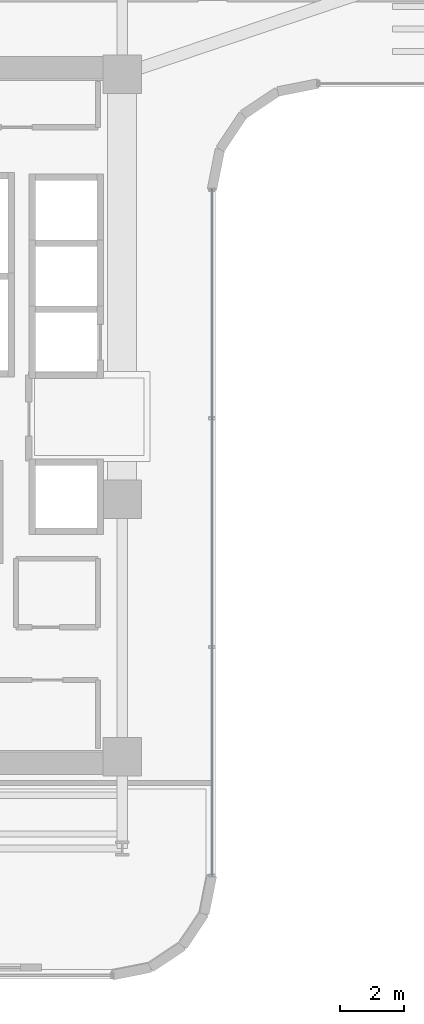
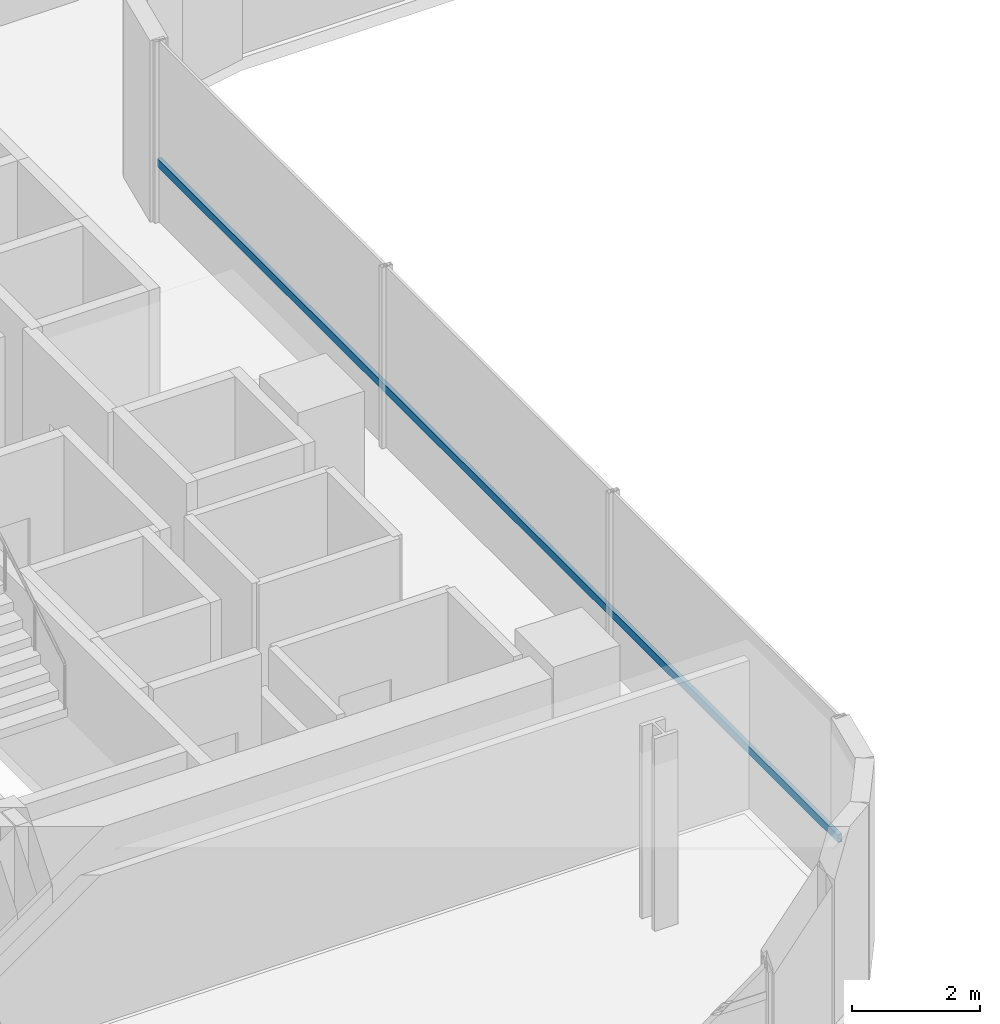
# One storey, part 6 of 34: 1 member, 1 element without a shape of its own.
"""IFC4 building model written with IfcOpenShell, lengths in metres."""

from ifc_helpers import new_model, si_unit, direction, frame, origin, origin_2d, place, context, subcontext, project, spatial, hollow_rectangle, extrude, source, transform, mapped, material, material_profile, profile_set, type_object, element, aggregate, save


model = new_model("IFC4")

# Units and contexts
model_context = context("Model", 3, precision=1e-05, world=origin(), true_north=direction((0.0, 1.0)))
body_context = subcontext(model_context, "Body", "Model", "MODEL_VIEW")
ifc_project = project(units=[si_unit("LENGTHUNIT", "METRE"), si_unit("AREAUNIT", "SQUARE_METRE"), si_unit("VOLUMEUNIT", "CUBIC_METRE"), si_unit("PLANEANGLEUNIT", "RADIAN"), si_unit("MASSUNIT", "GRAM", prefix="KILO")], contexts=[model_context])

# Site, building, storey
site_placement = place(None, origin())
site = spatial("IfcSite", under=ifc_project, at=site_placement, CompositionType="ELEMENT")
building_placement = place(site_placement, origin())
building = spatial("IfcBuilding", under=site, at=building_placement, Name="Valdorenza Pilgrim Sanctuary Tower", CompositionType="ELEMENT")
storey_placement = place(building_placement, frame((0.0, 0.0, 142.699951171875)))
storey = spatial("IfcBuildingStorey", under=building, at=storey_placement, Name="L36", CompositionType="ELEMENT", Elevation=142.699951171875)

# Curtain wall, member
ifc_material_1 = material(Name="Curtain-wall IGU glazing", Category="glass")
curtain_wall_type = type_object("IfcCurtainWallType", Name="CW-SYS-02", PredefinedType="NOTDEFINED", material=ifc_material_1)
curtain_wall_placement = place(storey_placement, origin())
curtain_wall = element("IfcCurtainWall", 1, at=curtain_wall_placement, inside=storey, type_object=curtain_wall_type, Name="L36 Curtain Wall CW-L36-1-41", PredefinedType="NOTDEFINED")
ifc_material_2 = material(Name="Anodised aluminium AW-6060", Category="aluminium")
ifc_material_profile = material_profile(ifc_material_2, hollow_rectangle(XDim=0.074951171875, YDim=0.14990234375, WallThickness=0.00390625, at=origin_2d()), Name="ALU-T 150x75x4")
ifc_profile_set = profile_set([ifc_material_profile], Name="Anodised aluminium AW-6060")
member_type = type_object("IfcMemberType", Name="CW-TRN-02", PredefinedType="USERDEFINED", material=ifc_profile_set)
shared_shape = source(origin(), body_context, "Body", "SweptSolid", [
    extrude(hollow_rectangle(XDim=0.074951171875, YDim=0.14990234375, WallThickness=0.00390625, at=origin_2d()), origin(), (0.0, 0.0, 1.0), 21.300048828125),
])
member_placement = place(storey_placement, frame((-9.610107421875, 7.0107421875, 1.1201171875), z_axis=(0.0, -1.0, 0.0), x_axis=(1.0, 0.0, 0.0)))
member = element("IfcMember", 2, at=member_placement, type_object=member_type, Name="CW-L36-1-41 Transom 1", ObjectType="TRANSOM", PredefinedType="USERDEFINED", context=body_context, shape_type="MappedRepresentation", body=[
    mapped(shared_shape, transform((0.0, 0.0, 0.0), x_axis=(1.0, 0.0, 0.0), y_axis=(0.0, 1.0, 0.0), z_axis=(0.0, 0.0, 1.0), scale=1.0)),
])
aggregate(curtain_wall, [member])

save(model, "model.ifc")
